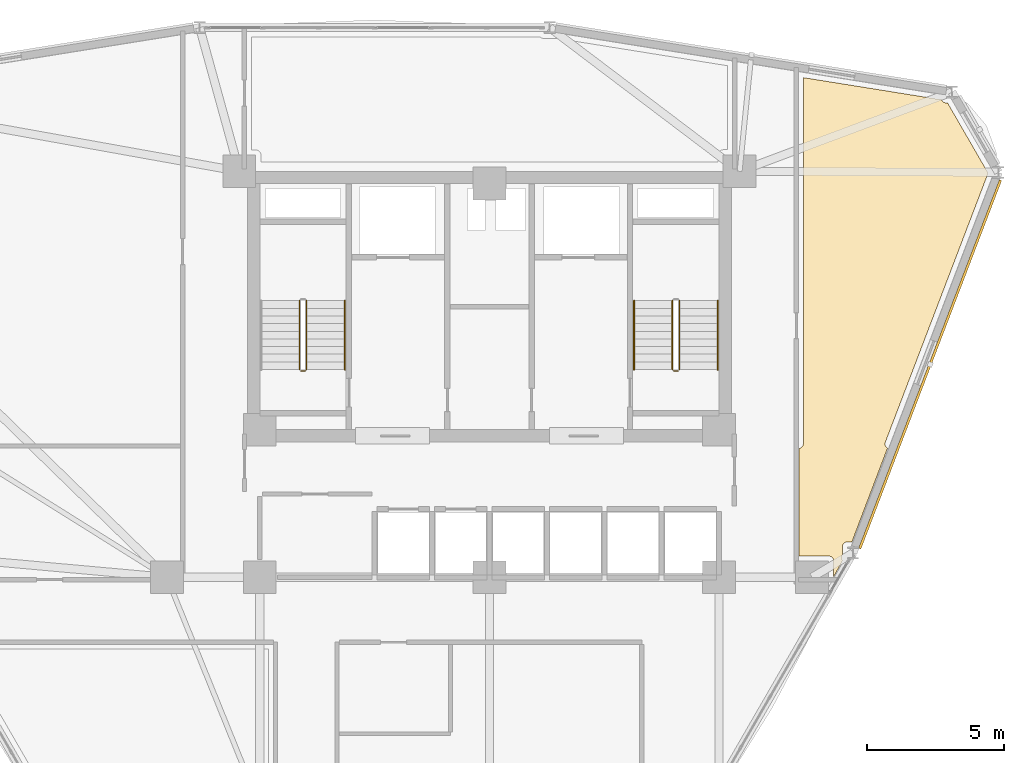
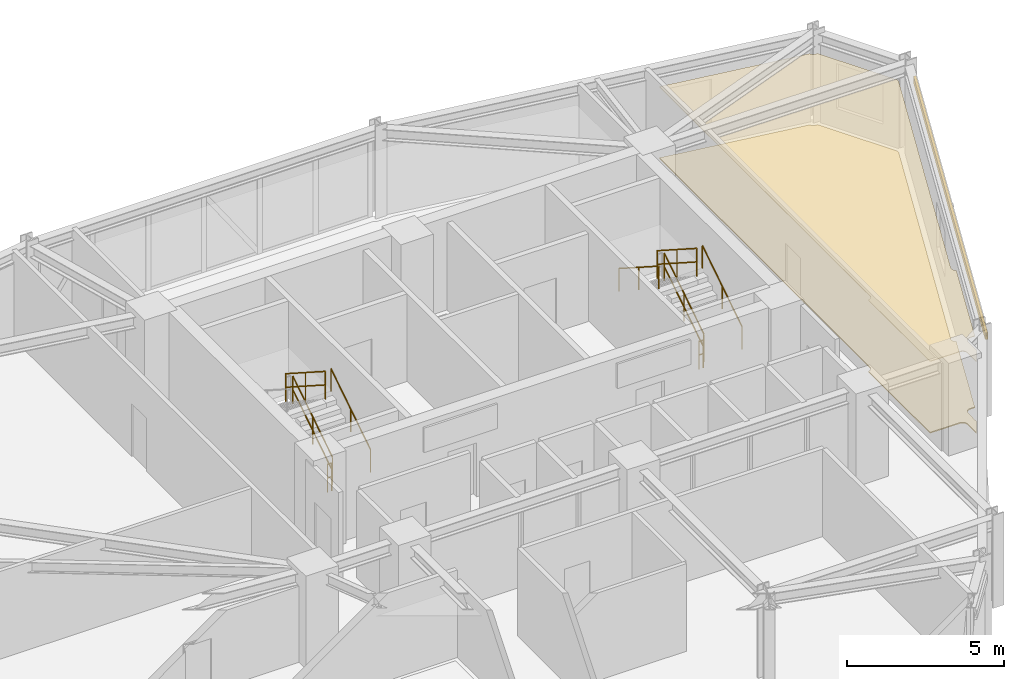
# One storey, part 14 of 15: 9 railings, 2 coverings, 1 shading device.
"""IFC4 building model written with IfcOpenShell, lengths in metres."""

from ifc_helpers import new_model, si_unit, derived_unit, direction, frame, origin, origin_2d, place, context, subcontext, project, spatial, polyline, hollow_rectangle, circle, outline, extrude, source, transform, mapped, material, layer, layer_set, material_profile, profile_set, type_object, element, save


model = new_model("IFC4")

# Units and contexts
model_context = context("Model", 3, precision=1e-05, world=origin(), true_north=direction((0.0, 1.0)))
body_context = subcontext(model_context, "Body", "Model", "MODEL_VIEW")
ifc_project = project(units=[si_unit("LENGTHUNIT", "METRE"), si_unit("AREAUNIT", "SQUARE_METRE"), si_unit("VOLUMEUNIT", "CUBIC_METRE"), si_unit("PLANEANGLEUNIT", "RADIAN"), si_unit("MASSUNIT", "GRAM", prefix="KILO"), derived_unit("THERMALTRANSMITTANCEUNIT", [(si_unit("POWERUNIT", "WATT"), 1), (si_unit("LENGTHUNIT", "METRE"), -2), (si_unit("THERMODYNAMICTEMPERATUREUNIT", "KELVIN"), -1)])], contexts=[model_context])

# Site, building, storey
site_placement = place(None, origin())
site = spatial("IfcSite", under=ifc_project, at=site_placement, CompositionType="ELEMENT")
building_placement = place(site_placement, origin())
building = spatial("IfcBuilding", under=site, at=building_placement, Name="Korsvarv Bourse and Concert Hall", CompositionType="ELEMENT")
storey_placement = place(building_placement, frame((0.0, 0.0, 157.800048828125)))
storey = spatial("IfcBuildingStorey", under=building, at=storey_placement, Name="L40", CompositionType="ELEMENT", Elevation=157.800048828125)

# Coverings
ifc_material_1 = material(Name="Perforated mineral-wool and birch acoustic baffle ceiling", Category="wood")
ifc_layer_1 = layer(ifc_material_1, 0.02490234375)
ifc_layer_set_1 = layer_set([ifc_layer_1], Name="Perforated mineral-wool and birch acoustic baffle ceiling")
covering_type_1 = type_object("IfcCoveringType", Name="COV-CEIL-1", PredefinedType="CEILING", material=ifc_layer_set_1)
covering_1_placement = place(storey_placement, frame((0.0, 0.0, 2.780029296875)))
element("IfcCovering", 1, at=covering_1_placement, inside=storey, type_object=covering_type_1, Name="L40 acoustic baffle ceiling 2", PredefinedType="CEILING", context=body_context, shape_type="SweptSolid", body=[
    extrude(outline(polyline([(47.320068359375, 37.111328125), (47.34521484375, 37.11572265625), (47.37939453125, 37.12841796875), (47.41015625, 37.147705078125), (47.4365234375, 37.1728515625), (47.45751953125, 37.20263671875), (47.4716796875, 37.236083984375), (47.47900390625, 37.271728515625), (47.47998046875, 50.677490234375), (52.53515625, 49.867919921875), (52.544921875, 49.8466796875), (52.5654296875, 49.81689453125), (52.591552734375, 49.791748046875), (52.6220703125, 49.7724609375), (52.656005859375, 49.759521484375), (52.691650390625, 49.753662109375), (52.7578125, 49.749755859375), (54.21826171875, 47.2197265625), (54.21826171875, 47.1298828125), (50.480712890625, 37.343505859375), (50.471435546875, 37.308349609375), (50.468994140625, 37.272216796875), (50.474365234375, 37.236083984375), (50.486572265625, 37.201904296875), (50.505615234375, 37.170654296875), (50.5302734375, 37.14404296875), (50.559814453125, 37.122802734375), (49.259765625, 33.697509765625), (49.0908203125, 33.697509765625), (49.05615234375, 33.694091796875), (49.022705078125, 33.684326171875), (48.991943359375, 33.668212890625), (48.96484375, 33.646240234375), (48.9423828125, 33.61962890625), (48.925537109375, 33.58935546875), (48.914794921875, 33.55615234375), (48.91064453125, 33.521484375), (48.900634765625, 33.07666015625), (48.9033203125, 33.04150390625), (48.9130859375, 33.00732421875), (48.590087890625, 32.426025390625), (48.590087890625, 33.0), (48.586669921875, 33.034912109375), (48.576416015625, 33.068603515625), (48.56005859375, 33.099609375), (48.537841796875, 33.126708984375), (48.5107421875, 33.149169921875), (48.47998046875, 33.166015625), (48.4462890625, 33.17626953125), (48.41162109375, 33.179931640625), (47.320068359375, 33.18896484375), (47.320068359375, 37.111328125)])), origin(), (0.0, 0.0, 1.0), 0.02490234375),
])
ifc_material_2 = material(Name="Calcium-sulphate raised access trading floor with Nordic oak top", Category="wood")
ifc_layer_2 = layer(ifc_material_2, 0.0400390625)
ifc_layer_set_2 = layer_set([ifc_layer_2], Name="Calcium-sulphate raised access trading floor with Nordic oak top")
covering_type_2 = type_object("IfcCoveringType", Name="COV-FLOR-1", PredefinedType="FLOORING", material=ifc_layer_set_2)
covering_2_placement = place(storey_placement, origin())
element("IfcCovering", 2, at=covering_2_placement, inside=storey, type_object=covering_type_2, Name="L40 raised access oak floor finish 2", PredefinedType="FLOORING", context=body_context, shape_type="SweptSolid", body=[
    extrude(outline(polyline([(47.320068359375, 37.111328125), (47.34521484375, 37.11572265625), (47.37939453125, 37.12841796875), (47.41015625, 37.147705078125), (47.4365234375, 37.1728515625), (47.45751953125, 37.20263671875), (47.4716796875, 37.236083984375), (47.47900390625, 37.271728515625), (47.47998046875, 50.677490234375), (52.53515625, 49.867919921875), (52.544921875, 49.8466796875), (52.5654296875, 49.81689453125), (52.591552734375, 49.791748046875), (52.6220703125, 49.7724609375), (52.656005859375, 49.759521484375), (52.691650390625, 49.753662109375), (52.7578125, 49.749755859375), (54.21826171875, 47.2197265625), (54.21826171875, 47.1298828125), (50.480712890625, 37.343505859375), (50.471435546875, 37.308349609375), (50.468994140625, 37.272216796875), (50.474365234375, 37.236083984375), (50.486572265625, 37.201904296875), (50.505615234375, 37.170654296875), (50.5302734375, 37.14404296875), (50.559814453125, 37.122802734375), (49.259765625, 33.697509765625), (49.0908203125, 33.697509765625), (49.05615234375, 33.694091796875), (49.022705078125, 33.684326171875), (48.991943359375, 33.668212890625), (48.96484375, 33.646240234375), (48.9423828125, 33.61962890625), (48.925537109375, 33.58935546875), (48.914794921875, 33.55615234375), (48.91064453125, 33.521484375), (48.900634765625, 33.07666015625), (48.9033203125, 33.04150390625), (48.9130859375, 33.00732421875), (48.590087890625, 32.426025390625), (48.590087890625, 33.0), (48.586669921875, 33.034912109375), (48.576416015625, 33.068603515625), (48.56005859375, 33.099609375), (48.537841796875, 33.126708984375), (48.5107421875, 33.149169921875), (48.47998046875, 33.166015625), (48.4462890625, 33.17626953125), (48.41162109375, 33.179931640625), (47.320068359375, 33.18896484375), (47.320068359375, 37.111328125)])), origin(), (0.0, 0.0, 1.0), 0.0400390625),
])

# Railings
ifc_material_3 = material(Name="Painted Steel S355 stair well guardrail", Category="steel")
railing_type_1 = type_object("IfcRailingType", Name="RL-ST-GRD", PredefinedType="GUARDRAIL", material=ifc_material_3)
railing_1_placement = place(storey_placement, frame((29.31005859375, 40.0, 0.179931640625)))
element("IfcRailing", 3, at=railing_1_placement, inside=storey, type_object=railing_type_1, Name="L40 ST-T1 stair guard 1", PredefinedType="GUARDRAIL", context=body_context, shape_type="SweptSolid", body=[
    extrude(circle(Radius=0.02392578125, at=origin_2d()), frame((0.0, 0.0, 1.076171875), z_axis=(0.0, 0.841162588446, 0.540782303519), x_axis=(-1.0, 0.0, 0.0)), (0.0, 0.0, 1.0), 2.995849609375),
    extrude(circle(Radius=0.02392578125, at=origin_2d()), frame((0.0, 0.0, 0.550048828125), z_axis=(0.0, 0.841162588446, 0.540782303519), x_axis=(-1.0, 0.0, 0.0)), (0.0, 0.0, 1.0), 2.995849609375),
    extrude(circle(Radius=0.02099609375, at=origin_2d()), origin(), (0.0, 0.0, 1.0), 1.052001953125),
    extrude(circle(Radius=0.02099609375, at=origin_2d()), frame((0.0, 1.260009765625, 0.81005859375)), (0.0, 0.0, 1.0), 1.052001953125),
    extrude(circle(Radius=0.02099609375, at=origin_2d()), frame((0.0, 2.52001953125, 1.6201171875)), (0.0, 0.0, 1.0), 1.052001953125),
])
railing_2_placement = place(storey_placement, frame((29.050048828125, 42.52001953125, 1.97998046875)))
element("IfcRailing", 4, at=railing_2_placement, inside=storey, type_object=railing_type_1, Name="L40 ST-T1 stair guard 3", PredefinedType="GUARDRAIL", context=body_context, shape_type="SweptSolid", body=[
    extrude(circle(Radius=0.02392578125, at=origin_2d()), frame((0.0, 0.0, 1.076171875), z_axis=(0.0, -0.841199657755, 0.540724639528), x_axis=(1.0, 0.0, 0.0)), (0.0, 0.0, 1.0), 2.995849609375),
    extrude(circle(Radius=0.02392578125, at=origin_2d()), frame((0.0, 0.0, 0.550048828125), z_axis=(0.0, -0.841199657755, 0.540724639528), x_axis=(1.0, 0.0, 0.0)), (0.0, 0.0, 1.0), 2.995849609375),
    extrude(circle(Radius=0.02099609375, at=origin_2d()), origin(), (0.0, 0.0, 1.0), 1.052001953125),
    extrude(circle(Radius=0.02099609375, at=origin_2d()), frame((0.0, -1.260009765625, 0.81005859375)), (0.0, 0.0, 1.0), 1.052001953125),
    extrude(circle(Radius=0.02099609375, at=origin_2d()), frame((0.0, -2.52001953125, 1.619873046875)), (0.0, 0.0, 1.0), 1.052001953125),
])
railing_3_placement = place(storey_placement, frame((29.260009765625, 39.949951171875, 0.0)))
element("IfcRailing", 5, at=railing_3_placement, inside=storey, type_object=railing_type_1, Name="L40 ST-T1 stair guard 4", PredefinedType="GUARDRAIL", context=body_context, shape_type="SweptSolid", body=[
    extrude(circle(Radius=0.02392578125, at=origin_2d()), frame((0.0, 0.0, 1.076171875), z_axis=(-1.0, 0.0, 0.0), x_axis=(0.0, -1.0, 0.0)), (0.0, 0.0, 1.0), 0.159912109375),
    extrude(circle(Radius=0.02392578125, at=origin_2d()), frame((0.0, 0.0, 0.550048828125), z_axis=(-1.0, 0.0, 0.0), x_axis=(0.0, -1.0, 0.0)), (0.0, 0.0, 1.0), 0.159912109375),
    extrude(circle(Radius=0.02099609375, at=origin_2d()), origin(), (0.0, 0.0, 1.0), 1.052001953125),
    extrude(circle(Radius=0.02099609375, at=origin_2d()), frame((-0.159912109375, 0.0, 0.0)), (0.0, 0.0, 1.0), 1.052001953125),
])
railing_4_placement = place(storey_placement, frame((42.949951171875, 40.0, 0.179931640625)))
element("IfcRailing", 6, at=railing_4_placement, inside=storey, type_object=railing_type_1, Name="L40 ST-T2 stair guard 1", PredefinedType="GUARDRAIL", context=body_context, shape_type="SweptSolid", body=[
    extrude(circle(Radius=0.02392578125, at=origin_2d()), frame((0.0, 0.0, 1.076171875), z_axis=(0.0, 0.841162588446, 0.540782303519), x_axis=(-1.0, 0.0, 0.0)), (0.0, 0.0, 1.0), 2.995849609375),
    extrude(circle(Radius=0.02392578125, at=origin_2d()), frame((0.0, 0.0, 0.550048828125), z_axis=(0.0, 0.841162588446, 0.540782303519), x_axis=(-1.0, 0.0, 0.0)), (0.0, 0.0, 1.0), 2.995849609375),
    extrude(circle(Radius=0.02099609375, at=origin_2d()), origin(), (0.0, 0.0, 1.0), 1.052001953125),
    extrude(circle(Radius=0.02099609375, at=origin_2d()), frame((0.0, 1.260009765625, 0.81005859375)), (0.0, 0.0, 1.0), 1.052001953125),
    extrude(circle(Radius=0.02099609375, at=origin_2d()), frame((0.0, 2.52001953125, 1.6201171875)), (0.0, 0.0, 1.0), 1.052001953125),
])
railing_5_placement = place(storey_placement, frame((42.68994140625, 42.52001953125, 1.97998046875)))
element("IfcRailing", 7, at=railing_5_placement, inside=storey, type_object=railing_type_1, Name="L40 ST-T2 stair guard 3", PredefinedType="GUARDRAIL", context=body_context, shape_type="SweptSolid", body=[
    extrude(circle(Radius=0.02392578125, at=origin_2d()), frame((0.0, 0.0, 1.076171875), z_axis=(0.0, -0.841199657755, 0.540724639528), x_axis=(1.0, 0.0, 0.0)), (0.0, 0.0, 1.0), 2.995849609375),
    extrude(circle(Radius=0.02392578125, at=origin_2d()), frame((0.0, 0.0, 0.550048828125), z_axis=(0.0, -0.841199657755, 0.540724639528), x_axis=(1.0, 0.0, 0.0)), (0.0, 0.0, 1.0), 2.995849609375),
    extrude(circle(Radius=0.02099609375, at=origin_2d()), origin(), (0.0, 0.0, 1.0), 1.052001953125),
    extrude(circle(Radius=0.02099609375, at=origin_2d()), frame((0.0, -1.260009765625, 0.81005859375)), (0.0, 0.0, 1.0), 1.052001953125),
    extrude(circle(Radius=0.02099609375, at=origin_2d()), frame((0.0, -2.52001953125, 1.619873046875)), (0.0, 0.0, 1.0), 1.052001953125),
])
railing_6_placement = place(storey_placement, frame((42.89990234375, 39.949951171875, 0.0)))
element("IfcRailing", 8, at=railing_6_placement, inside=storey, type_object=railing_type_1, Name="L40 ST-T2 stair guard 4", PredefinedType="GUARDRAIL", context=body_context, shape_type="SweptSolid", body=[
    extrude(circle(Radius=0.02392578125, at=origin_2d()), frame((0.0, 0.0, 1.076171875), z_axis=(-1.0, 0.0, 0.0), x_axis=(0.0, -1.0, 0.0)), (0.0, 0.0, 1.0), 0.159912109375),
    extrude(circle(Radius=0.02392578125, at=origin_2d()), frame((0.0, 0.0, 0.550048828125), z_axis=(-1.0, 0.0, 0.0), x_axis=(0.0, -1.0, 0.0)), (0.0, 0.0, 1.0), 0.159912109375),
    extrude(circle(Radius=0.02099609375, at=origin_2d()), origin(), (0.0, 0.0, 1.0), 1.052001953125),
    extrude(circle(Radius=0.02099609375, at=origin_2d()), frame((-0.159912109375, 0.0, 0.0)), (0.0, 0.0, 1.0), 1.052001953125),
])
ifc_material_4 = material(Name="Brushed stainless Steel S355 tubular handrail", Category="steel")
railing_type_2 = type_object("IfcRailingType", Name="RL-ST-HND", PredefinedType="HANDRAIL", material=ifc_material_4)
for number, where, name in (
    (9, (30.7099609375, 40.0, 0.179931640625), "L40 ST-T1 stair handrail 1"),
    (10, (44.35009765625, 40.0, 0.179931640625), "L40 ST-T2 stair handrail 1"),
):
    element("IfcRailing", number, at=place(storey_placement, frame(where)), inside=storey, type_object=railing_type_2, Name=name, PredefinedType="HANDRAIL", context=body_context, shape_type="SweptSolid", body=[
        extrude(circle(Radius=0.02392578125, at=origin_2d()), frame((0.0, 0.0, 0.8759765625), z_axis=(0.0, 0.841162588446, 0.540782303519), x_axis=(-1.0, 0.0, 0.0)), (0.0, 0.0, 1.0), 2.995849609375),
        extrude(circle(Radius=0.02099609375, at=origin_2d()), origin(), (0.0, 0.0, 1.0), 0.851806640625),
        extrude(circle(Radius=0.02099609375, at=origin_2d()), frame((0.0, 1.260009765625, 0.81005859375)), (0.0, 0.0, 1.0), 0.851806640625),
        extrude(circle(Radius=0.02099609375, at=origin_2d()), frame((0.0, 2.52001953125, 1.6201171875)), (0.0, 0.0, 1.0), 0.851806640625),
    ])
railing_7_placement = place(storey_placement, frame((41.2900390625, 42.52001953125, 1.97998046875)))
element("IfcRailing", 11, at=railing_7_placement, inside=storey, type_object=railing_type_2, Name="L40 ST-T2 stair handrail 2", PredefinedType="HANDRAIL", context=body_context, shape_type="SweptSolid", body=[
    extrude(circle(Radius=0.02392578125, at=origin_2d()), frame((0.0, 0.0, 0.8759765625), z_axis=(0.0, -0.841199657755, 0.540724639528), x_axis=(1.0, 0.0, 0.0)), (0.0, 0.0, 1.0), 2.995849609375),
    extrude(circle(Radius=0.02099609375, at=origin_2d()), origin(), (0.0, 0.0, 1.0), 0.851806640625),
    extrude(circle(Radius=0.02099609375, at=origin_2d()), frame((0.0, -1.260009765625, 0.81005859375)), (0.0, 0.0, 1.0), 0.851806640625),
    extrude(circle(Radius=0.02099609375, at=origin_2d()), frame((0.0, -2.52001953125, 1.619873046875)), (0.0, 0.0, 1.0), 0.851806640625),
])

# Shading device
ifc_material_5 = material(Name="Glazed extruded architectural terracotta", Category="ceramic")
ifc_material_profile = material_profile(ifc_material_5, hollow_rectangle(XDim=0.090087890625, YDim=0.260009765625, WallThickness=0.011962890625, at=origin_2d()), Name="TC-BAG 90x260")
ifc_profile_set = profile_set([ifc_material_profile], Name="Glazed extruded architectural terracotta")
shading_device_type = type_object("IfcShadingDeviceType", Name="SHD-BAG-1", PredefinedType="USERDEFINED", material=ifc_profile_set)
shared_shape = source(origin(), body_context, "Body", "SweptSolid", [
    extrude(hollow_rectangle(XDim=0.090087890625, YDim=0.260009765625, WallThickness=0.011962890625, at=origin_2d()), origin(), (0.0, 0.0, 1.0), 14.42822265625),
])
shading_device_placement = place(storey_placement, frame((49.545166015625, 33.4501953125, 2.83984375), z_axis=(0.356778358033, 0.934189061828, 0.0), x_axis=(-0.934189061828, 0.356778358033, 0.0)))
element("IfcShadingDevice", 12, at=shading_device_placement, inside=storey, type_object=shading_device_type, Name="L40 terracotta baguette sunshade EW-L40-B12", ObjectType="BAGUETTE", PredefinedType="USERDEFINED", context=body_context, shape_type="MappedRepresentation", body=[
    mapped(shared_shape, transform((0.0, 0.0, 0.0), scale=1.0)),
])

save(model, "model.ifc")
